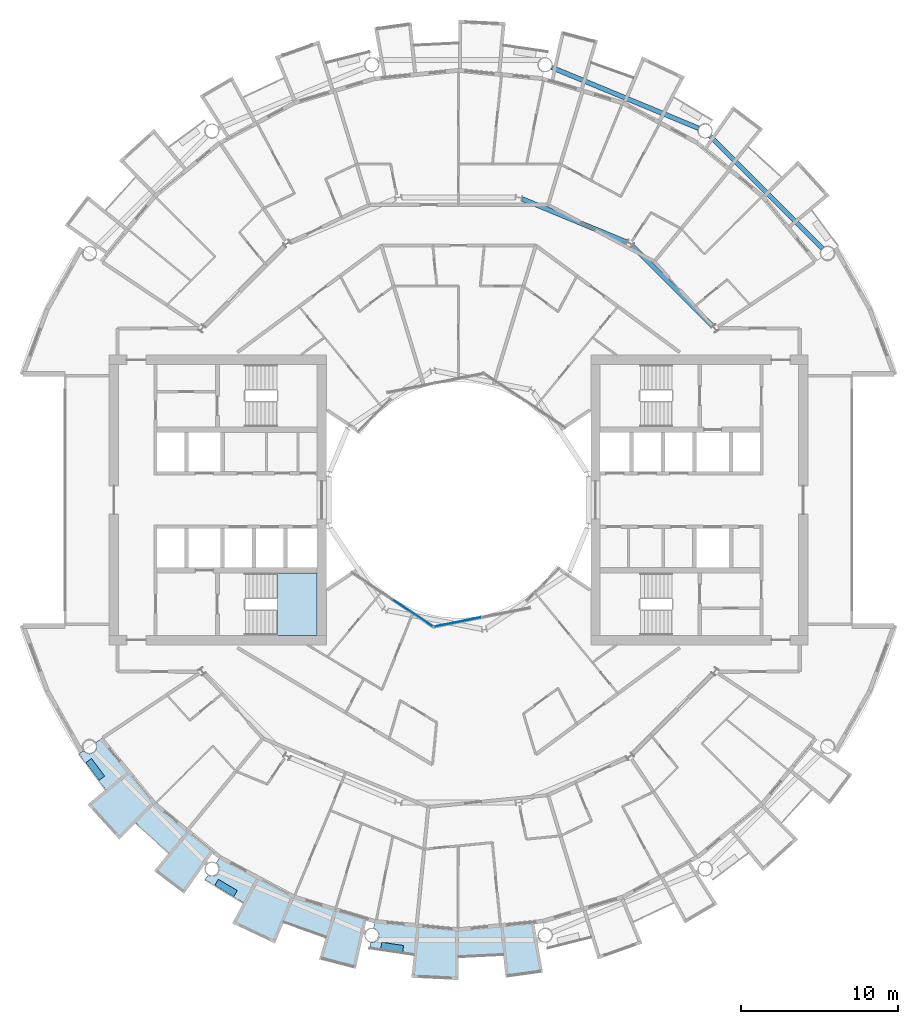
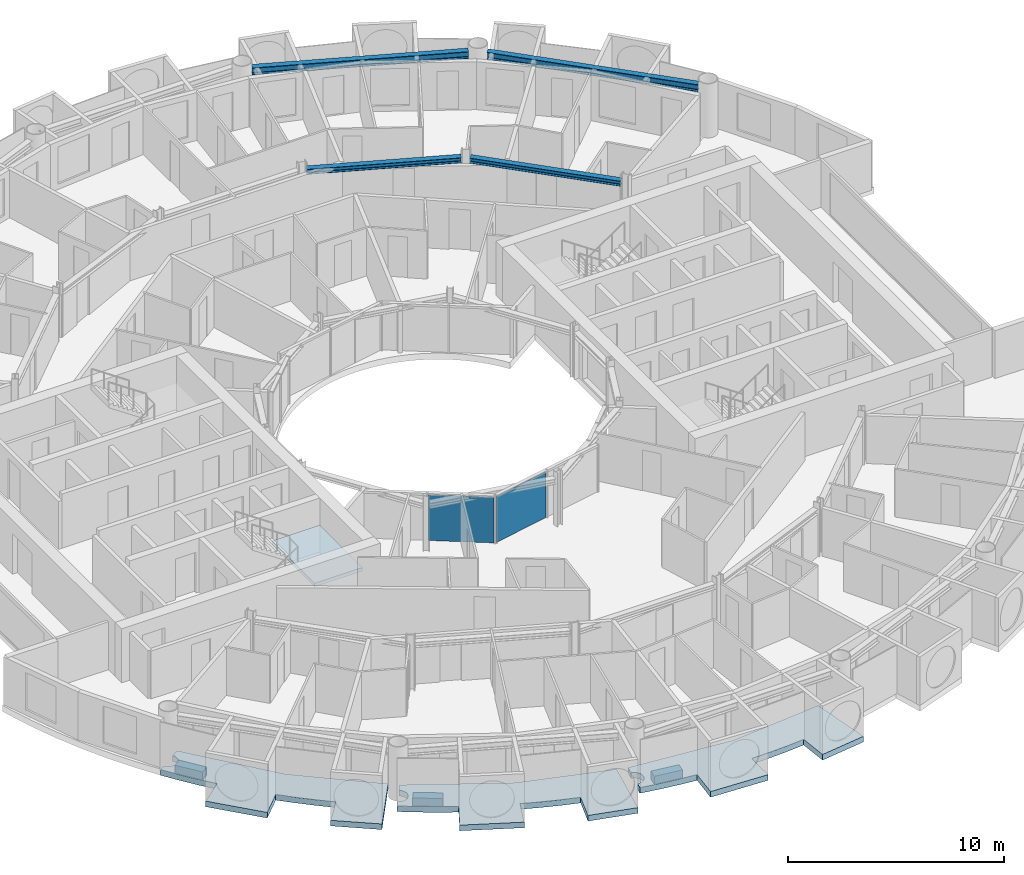
# One storey, part 10 of 27: 7 slabs, 4 beams, 2 plates, 3 elements without a shape of their own.
"""IFC4 building model written with IfcOpenShell, lengths in metres."""

from ifc_helpers import new_model, si_unit, direction, frame, origin, origin_2d, place, context, subcontext, project, spatial, polyline, rectangle, i_section, outline, extrude, material, layer, layer_set, material_profile, profile_set, type_object, element, aggregate, save


model = new_model("IFC4")

# Units and contexts
model_context = context("Model", 3, precision=1e-05, world=origin(), true_north=direction((0.0, 1.0)))
body_context = subcontext(model_context, "Body", "Model", "MODEL_VIEW")
ifc_project = project(units=[si_unit("LENGTHUNIT", "METRE"), si_unit("AREAUNIT", "SQUARE_METRE"), si_unit("VOLUMEUNIT", "CUBIC_METRE"), si_unit("PLANEANGLEUNIT", "RADIAN"), si_unit("MASSUNIT", "GRAM", prefix="KILO")], contexts=[model_context])

# Site, building, storey
site_placement = place(None, origin())
site = spatial("IfcSite", under=ifc_project, at=site_placement, CompositionType="ELEMENT")
building_placement = place(site_placement, origin())
building = spatial("IfcBuilding", under=site, at=building_placement, Name="Maasbend Ring Residences", CompositionType="ELEMENT")
storey_placement = place(building_placement, frame((0.0, 0.0, 120.800048828125)))
storey = spatial("IfcBuildingStorey", under=building, at=storey_placement, Name="L34", CompositionType="ELEMENT", Elevation=120.800048828125)

# Beams
ifc_material_1 = material(Name="Steel S355J2", Category="steel")
ifc_material_profile_1 = material_profile(ifc_material_1, i_section(OverallWidth=0.300048828125, OverallDepth=0.2900390625, WebThickness=0.008544921875, FlangeThickness=0.013916015625, FilletRadius=0.027099609375, at=origin_2d()), Name="HEA 300")
ifc_profile_set_1 = profile_set([ifc_material_profile_1], Name="Steel S355J2")
beam_type_1 = type_object("IfcBeamType", Name="Corridor ring beam HEA 300", PredefinedType="BEAM", material=ifc_profile_set_1)
for number, where, z_axis, x_axis, name in (
    (1, (16.14111328125, 11.044921875, 2.554931640625), (-0.707106781187, 0.707106781187, 0.0), (-0.707106781187, -0.707106781187, 0.0), "Corridor ring beam"),
    (2, (10.685791015625, 16.381103515625, 2.554931640625), (-0.923877693919, 0.382687871089, 0.0), (-0.382687871089, -0.923877693919, 0.0), "Corridor ring beam"),
):
    element("IfcBeam", number, at=place(storey_placement, frame(where, z_axis=z_axis, x_axis=x_axis)), inside=storey, type_object=beam_type_1, Name=name, PredefinedType="BEAM", context=body_context, shape_type="SweptSolid", body=[
        extrude(i_section(OverallWidth=0.300048828125, OverallDepth=0.2900390625, WebThickness=0.008544921875, FlangeThickness=0.013916015625, FilletRadius=0.027099609375, at=origin_2d()), origin(), (0.0, 0.0, 1.0), 7.20703125),
    ])
ifc_material_2 = material(Name="Steel S355J2", Category="steel")
ifc_material_profile_2 = material_profile(ifc_material_2, i_section(OverallWidth=0.300048828125, OverallDepth=0.39990234375, WebThickness=0.013427734375, FlangeThickness=0.02392578125, FilletRadius=0.027099609375, at=origin_2d()), Name="HEB 400")
ifc_profile_set_2 = profile_set([ifc_material_profile_2], Name="Steel S355J2")
beam_type_2 = type_object("IfcBeamType", Name="Spandrel ring beam HEB 400", PredefinedType="SPANDREL", material=ifc_profile_set_2)
for number, where, z_axis, x_axis, name in (
    (3, (23.124267578125, 15.990234375, 2.5), (-0.707106781187, 0.707106781187, 0.0), (-0.707106781187, -0.707106781187, 0.0), "Spandrel ring beam"),
    (4, (15.244873046875, 23.622314453125, 2.5), (-0.92388529709, 0.382669515144, 0.0), (-0.382669515144, -0.92388529709, 0.0), "Spandrel ring beam"),
):
    element("IfcBeam", number, at=place(storey_placement, frame(where, z_axis=z_axis, x_axis=x_axis)), inside=storey, type_object=beam_type_2, Name=name, PredefinedType="SPANDREL", context=body_context, shape_type="SweptSolid", body=[
        extrude(i_section(OverallWidth=0.300048828125, OverallDepth=0.39990234375, WebThickness=0.013427734375, FlangeThickness=0.02392578125, FilletRadius=0.027099609375, at=origin_2d()), origin(), (0.0, 0.0, 1.0), 10.089111328125),
    ])

# Stair, slab
ifc_material_3 = material(Name="Concrete C40/50", Category="concrete")
stair_type = type_object("IfcStairType", Name="CORE STAIR 18 RISERS", PredefinedType="HALF_TURN_STAIR", material=ifc_material_3)
stair_placement = place(storey_placement, origin())
stair = element("IfcStair", 5, at=stair_placement, inside=storey, type_object=stair_type, Name="L34 Exit stair ST-W1", PredefinedType="HALF_TURN_STAIR")
ifc_material_4 = material(Name="Concrete C40/50", Category="concrete")
ifc_layer_1 = layer(ifc_material_4, 0.199951171875)
ifc_layer_set_1 = layer_set([ifc_layer_1], Name="Concrete C40/50")
slab_type_1 = type_object("IfcSlabType", Name="CORE STAIR LANDING 200", PredefinedType="LANDING", material=ifc_layer_set_1)
slab_1_placement = place(storey_placement, frame((0.0, 0.0, 1.324951171875)))
slab_1 = element("IfcSlab", 6, at=slab_1_placement, type_object=slab_type_1, Name="ST-W1 landing 1", PredefinedType="LANDING", context=body_context, shape_type="SweptSolid", body=[
    extrude(outline(polyline([(-11.550048828125, -8.60009765625), (-9.0, -8.60009765625), (-9.0, -4.64990234375), (-11.550048828125, -4.64990234375), (-11.550048828125, -8.60009765625)])), origin(), (0.0, 0.0, 1.0), 0.199951171875),
])
aggregate(stair, [slab_1])

# Curtain wall, plate
ifc_material_5 = material(Name="Aluminium and clear glass", Category="aluminium")
ifc_layer_2 = layer(ifc_material_5, 0.179931640625)
ifc_layer_set_2 = layer_set([ifc_layer_2], Name="CW-W")
curtain_wall_type = type_object("IfcCurtainWallType", Name="CW-W", PredefinedType="NOTDEFINED", material=ifc_layer_set_2)
curtain_wall_1_placement = place(storey_placement, origin())
curtain_wall_1 = element("IfcCurtainWall", 7, at=curtain_wall_1_placement, inside=storey, type_object=curtain_wall_type, Name="Well curtain wall S1", PredefinedType="NOTDEFINED")
ifc_material_6 = material(Name="Glass clear laminated", Category="glass")
ifc_layer_3 = layer(ifc_material_6, 0.031982421875)
ifc_layer_set_3 = layer_set([ifc_layer_3], Name="CWP-W")
plate_type = type_object("IfcPlateType", Name="CWP-W", PredefinedType="CURTAIN_PANEL", material=ifc_layer_set_3)
plate_1_placement = place(storey_placement, frame((-2.922119140625, -7.17578125, 0.0), z_axis=(0.0, 0.0, 1.0), x_axis=(0.831469612303, -0.55557023302, 0.0)))
plate_1 = element("IfcPlate", 8, at=plate_1_placement, type_object=plate_type, Name="Glass panel well face", PredefinedType="CURTAIN_PANEL", context=body_context, shape_type="SweptSolid", body=[
    extrude(rectangle(XDim=3.053955078125, YDim=0.031982421875, at=origin_2d()), origin(), (0.0, 0.0, 1.0), 2.580078125),
])
aggregate(curtain_wall_1, [plate_1])

curtain_wall_2_placement = place(storey_placement, origin())
curtain_wall_2 = element("IfcCurtainWall", 9, at=curtain_wall_2_placement, inside=storey, type_object=curtain_wall_type, Name="Well curtain wall S2", PredefinedType="NOTDEFINED")
plate_2_placement = place(storey_placement, frame((-0.04638671875, -7.747802734375, 0.0), z_axis=(0.0, 0.0, 1.0), x_axis=(0.980785280403, 0.195090322016, 0.0)))
plate_2 = element("IfcPlate", 10, at=plate_2_placement, type_object=plate_type, Name="Glass panel well face", PredefinedType="CURTAIN_PANEL", context=body_context, shape_type="SweptSolid", body=[
    extrude(rectangle(XDim=3.053955078125, YDim=0.031982421875, at=origin_2d()), origin(), (0.0, 0.0, 1.0), 2.580078125),
])
aggregate(curtain_wall_2, [plate_2])

# Slabs
ifc_material_7 = material(Name="Planting with climbing greenery")
ifc_layer_4 = layer(ifc_material_7, 0.449951171875)
ifc_layer_set_4 = layer_set([ifc_layer_4], Name="PLANTER-LG")
slab_type_2 = type_object("IfcSlabType", Name="PLANTER-LG", PredefinedType="USERDEFINED", material=ifc_layer_set_4)
slab_2_placement = place(storey_placement, frame((0.0, 0.0, -0.030029296875)))
element("IfcSlab", 11, at=slab_2_placement, inside=storey, type_object=slab_type_2, Name="Planter with climbing greenery 1", ObjectType="PLANTER", PredefinedType="USERDEFINED", context=body_context, shape_type="SweptSolid", body=[
    extrude(outline(polyline([(-23.681884765625, -16.69189453125), (-22.847900390625, -17.81689453125), (-22.487060546875, -17.549072265625), (-23.321044921875, -16.424072265625), (-23.681884765625, -16.69189453125)])), origin(), (0.0, 0.0, 1.0), 0.449951171875),
])
slab_3_placement = place(storey_placement, frame((0.0, 0.0, -0.030029296875)))
element("IfcSlab", 12, at=slab_3_placement, inside=storey, type_object=slab_type_2, Name="Planter with climbing greenery 2", ObjectType="PLANTER", PredefinedType="USERDEFINED", context=body_context, shape_type="SweptSolid", body=[
    extrude(outline(polyline([(-15.490966796875, -24.48388671875), (-14.291015625, -25.2041015625), (-14.05908203125, -24.818115234375), (-15.260009765625, -24.097900390625), (-15.490966796875, -24.48388671875)])), origin(), (0.0, 0.0, 1.0), 0.449951171875),
])
slab_4_placement = place(storey_placement, frame((0.0, 0.0, -0.030029296875)))
element("IfcSlab", 13, at=slab_4_placement, inside=storey, type_object=slab_type_2, Name="Planter with climbing greenery 3", ObjectType="PLANTER", PredefinedType="USERDEFINED", context=body_context, shape_type="SweptSolid", body=[
    extrude(outline(polyline([(-4.94189453125, -28.549072265625), (-3.55810546875, -28.75390625), (-3.491943359375, -28.30908203125), (-4.8759765625, -28.10400390625), (-4.94189453125, -28.549072265625)])), origin(), (0.0, 0.0, 1.0), 0.449951171875),
])
ifc_material_8 = material(Name="Concrete C40/50", Category="concrete")
ifc_layer_5 = layer(ifc_material_8, 0.199951171875)
ifc_layer_set_5 = layer_set([ifc_layer_5], Name="Concrete C40/50")
slab_type_3 = type_object("IfcSlabType", Name="SL-LOGGIA", PredefinedType="FLOOR", material=ifc_layer_set_5)
slab_5_placement = place(storey_placement, frame((0.0, 0.0, -0.35009765625)))
element("IfcSlab", 14, at=slab_5_placement, inside=storey, type_object=slab_type_3, Name="Loggia floor 1", PredefinedType="FLOOR", context=body_context, shape_type="SweptSolid", body=[
    extrude(outline(polyline([(-15.89208984375, -23.844970703125), (-15.883056640625, -23.85009765625), (-15.873046875, -23.85595703125), (-15.862060546875, -23.861083984375), (-15.85205078125, -23.864990234375), (-15.842041015625, -23.8701171875), (-15.83203125, -23.8740234375), (-15.821044921875, -23.8779296875), (-15.81005859375, -23.881103515625), (-15.800048828125, -23.885009765625), (-15.7890625, -23.887939453125), (-15.778076171875, -23.89111328125), (-15.76708984375, -23.89306640625), (-15.756103515625, -23.89599609375), (-15.7451171875, -23.89794921875), (-15.73388671875, -23.89892578125), (-15.722900390625, -23.90087890625), (-15.7119140625, -23.902099609375), (-15.700927734375, -23.903076171875), (-15.68994140625, -23.904052734375), (-15.677978515625, -23.904052734375), (-15.6669921875, -23.904052734375), (-15.656005859375, -23.904052734375), (-15.64501953125, -23.904052734375), (-15.633056640625, -23.903076171875), (-15.6220703125, -23.902099609375), (-15.611083984375, -23.90087890625), (-15.60009765625, -23.89892578125), (-15.589111328125, -23.89794921875), (-15.577880859375, -23.89599609375), (-15.56689453125, -23.89306640625), (-15.555908203125, -23.89111328125), (-15.544921875, -23.887939453125), (-15.533935546875, -23.885009765625), (-15.52392578125, -23.881103515625), (-15.512939453125, -23.8779296875), (-15.5029296875, -23.8740234375), (-15.491943359375, -23.8701171875), (-15.48193359375, -23.864990234375), (-15.471923828125, -23.861083984375), (-15.4619140625, -23.85595703125), (-15.451904296875, -23.85009765625), (-15.44189453125, -23.844970703125), (-15.431884765625, -23.839111328125), (-15.423095703125, -23.8330078125), (-15.4130859375, -23.826904296875), (-15.404052734375, -23.821044921875), (-15.39501953125, -23.81396484375), (-15.385986328125, -23.80810546875), (-15.376953125, -23.801025390625), (-15.368896484375, -23.79296875), (-15.360107421875, -23.785888671875), (-15.35205078125, -23.778076171875), (-15.343994140625, -23.77099609375), (-15.3359375, -23.762939453125), (-15.327880859375, -23.75390625), (-15.321044921875, -23.74609375), (-15.31396484375, -23.737060546875), (-15.306884765625, -23.72900390625), (-15.300048828125, -23.719970703125), (-15.29296875, -23.7109375), (-15.287109375, -23.700927734375), (-15.281005859375, -23.69189453125), (-15.27490234375, -23.681884765625), (-15.26904296875, -23.673095703125), (-15.263916015625, -23.6630859375), (-15.259033203125, -23.653076171875), (-15.25390625, -23.64306640625), (-15.2490234375, -23.633056640625), (-15.2451171875, -23.6220703125), (-15.240966796875, -23.612060546875), (-15.237060546875, -23.60107421875), (-15.23291015625, -23.591064453125), (-15.22998046875, -23.580078125), (-15.22705078125, -23.569091796875), (-15.22412109375, -23.55810546875), (-15.220947265625, -23.548095703125), (-15.218994140625, -23.537109375), (-15.217041015625, -23.52587890625), (-15.215087890625, -23.513916015625), (-15.214111328125, -23.5029296875), (-15.2119140625, -23.491943359375), (-15.2109375, -23.48095703125), (-15.2109375, -23.469970703125), (-15.2099609375, -23.458984375), (-15.2099609375, -23.447021484375), (-15.2099609375, -23.43603515625), (-15.2109375, -23.425048828125), (-15.2109375, -23.4140625), (-15.2119140625, -23.403076171875), (-15.214111328125, -23.39111328125), (-15.215087890625, -23.3798828125), (-15.217041015625, -23.368896484375), (-15.218994140625, -23.35791015625), (-15.220947265625, -23.346923828125), (-15.22412109375, -23.3359375), (-15.22705078125, -23.325927734375), (-15.22998046875, -23.31494140625), (-15.23291015625, -23.303955078125), (-15.237060546875, -23.29296875), (-15.240966796875, -23.282958984375), (-15.2451171875, -23.27294921875), (-15.2490234375, -23.261962890625), (-15.25390625, -23.251953125), (-15.259033203125, -23.241943359375), (-15.263916015625, -23.23193359375), (-15.26904296875, -23.221923828125), (-15.27490234375, -23.2119140625), (-15.281005859375, -23.202880859375), (-15.287109375, -23.194091796875), (-15.29296875, -23.18408203125), (-15.300048828125, -23.175048828125), (-15.306884765625, -23.166015625), (-15.31396484375, -23.156982421875), (-15.321044921875, -23.14892578125), (-15.327880859375, -23.139892578125), (-15.3359375, -23.132080078125), (-15.343994140625, -23.1240234375), (-15.35205078125, -23.115966796875), (-15.360107421875, -23.10888671875), (-15.368896484375, -23.10107421875), (-15.376953125, -23.093994140625), (-15.385986328125, -23.0869140625), (-15.39501953125, -23.080078125), (-15.404052734375, -23.073974609375), (-15.4130859375, -23.06689453125), (-15.1669921875, -22.698974609375), (-15.1669921875, -22.698974609375), (-15.1669921875, -22.698974609375), (-12.806884765625, -23.9609375), (-10.447021484375, -25.221923828125), (-10.447021484375, -25.221923828125), (-10.447021484375, -25.221923828125), (-7.886962890625, -25.9990234375), (-5.843994140625, -26.617919921875), (-5.843994140625, -26.617919921875), (-5.843994140625, -26.617919921875), (-6.5400390625, -29.791015625), (-6.5400390625, -29.791015625), (-6.5400390625, -29.791015625), (-8.85400390625, -29.18701171875), (-8.85400390625, -29.18701171875), (-8.85400390625, -29.18701171875), (-8.41796875, -27.751953125), (-8.41796875, -27.751953125), (-8.41796875, -27.751953125), (-8.41796875, -27.751953125), (-8.41796875, -27.751953125), (-8.41796875, -27.751953125), (-8.41796875, -27.7509765625), (-8.41796875, -27.7509765625), (-8.41796875, -27.7509765625), (-8.41796875, -27.7509765625), (-8.41796875, -27.7509765625), (-8.4189453125, -27.7509765625), (-8.4189453125, -27.7509765625), (-8.4189453125, -27.7509765625), (-8.4189453125, -27.7509765625), (-8.4189453125, -27.7509765625), (-8.4189453125, -27.7509765625), (-9.322021484375, -27.4609375), (-9.322021484375, -27.4609375), (-10.215087890625, -27.14111328125), (-10.215087890625, -27.14111328125), (-11.096923828125, -26.79296875), (-11.096923828125, -26.79296875), (-11.096923828125, -26.79296875), (-11.097900390625, -26.79296875), (-11.097900390625, -26.79296875), (-11.097900390625, -26.79296875), (-11.097900390625, -26.79296875), (-11.097900390625, -26.79296875), (-11.097900390625, -26.79296875), (-11.097900390625, -26.79296875), (-11.097900390625, -26.79296875), (-11.097900390625, -26.79296875), (-11.097900390625, -26.79296875), (-11.097900390625, -26.79296875), (-11.097900390625, -26.79296875), (-11.097900390625, -26.79296875), (-11.097900390625, -26.79296875), (-11.672119140625, -28.177978515625), (-11.672119140625, -28.177978515625), (-11.672119140625, -28.177978515625), (-14.3779296875, -26.89892578125), (-14.3779296875, -26.89892578125), (-14.3779296875, -26.89892578125), (-13.6708984375, -25.575927734375), (-13.6708984375, -25.575927734375), (-13.6708984375, -25.575927734375), (-13.6708984375, -25.575927734375), (-13.6708984375, -25.575927734375), (-13.6708984375, -25.575927734375), (-13.6708984375, -25.575927734375), (-13.6708984375, -25.575927734375), (-13.6708984375, -25.575927734375), (-13.6708984375, -25.575927734375), (-13.6708984375, -25.575927734375), (-13.6708984375, -25.575927734375), (-13.6708984375, -25.575927734375), (-13.6708984375, -25.575927734375), (-13.6708984375, -25.575927734375), (-13.6708984375, -25.575927734375), (-13.6708984375, -25.574951171875), (-14.5, -25.114990234375), (-14.5, -25.114990234375), (-15.31396484375, -24.626953125), (-15.31396484375, -24.626953125), (-16.112060546875, -24.113037109375), (-16.112060546875, -24.113037109375), (-16.112060546875, -24.113037109375), (-15.9208984375, -23.826904296875), (-15.912109375, -23.8330078125), (-15.902099609375, -23.839111328125), (-15.89208984375, -23.844970703125)])), origin(), (0.0, 0.0, 1.0), 0.320068359375),
])
slab_6_placement = place(storey_placement, frame((0.0, 0.0, -0.35009765625)))
element("IfcSlab", 15, at=slab_6_placement, inside=storey, type_object=slab_type_3, Name="Loggia floor 3", PredefinedType="FLOOR", context=body_context, shape_type="SweptSolid", body=[
    extrude(outline(polyline([(-2.6630859375, -27.0380859375), (0.0, -27.300048828125), (0.0, -27.300048828125), (0.0, -27.300048828125), (2.6630859375, -27.0380859375), (4.7880859375, -26.827880859375), (4.7880859375, -26.827880859375), (4.7880859375, -26.827880859375), (5.35791015625, -30.02587890625), (5.35791015625, -30.02587890625), (5.35791015625, -30.02587890625), (2.989990234375, -30.35302734375), (2.989990234375, -30.35302734375), (2.989990234375, -30.35302734375), (2.843017578125, -28.861083984375), (2.843017578125, -28.861083984375), (2.843017578125, -28.861083984375), (2.843017578125, -28.861083984375), (2.842041015625, -28.861083984375), (2.842041015625, -28.861083984375), (2.842041015625, -28.861083984375), (2.842041015625, -28.861083984375), (2.842041015625, -28.861083984375), (2.842041015625, -28.860107421875), (2.842041015625, -28.860107421875), (2.842041015625, -28.860107421875), (2.842041015625, -28.860107421875), (2.842041015625, -28.860107421875), (2.842041015625, -28.860107421875), (2.842041015625, -28.860107421875), (2.842041015625, -28.860107421875), (1.89697265625, -28.93798828125), (1.89697265625, -28.93798828125), (0.948974609375, -28.98388671875), (0.948974609375, -28.98388671875), (0.0, -29.0), (0.0, -29.0), (0.0, -29.0), (0.0, -29.0), (0.0, -29.0), (0.0, -29.0), (0.0, -29.0), (0.0, -29.0), (0.0, -29.0), (0.0, -29.0), (0.0, -29.0), (0.0, -29.0), (0.0, -29.0), (0.0, -29.0), (0.0, -29.0), (0.0, -29.0), (0.0, -29.0), (0.0, -30.5), (0.0, -30.5), (0.0, -30.5), (-2.989990234375, -30.35302734375), (-2.989990234375, -30.35302734375), (-2.989990234375, -30.35302734375), (-2.843017578125, -28.861083984375), (-2.843017578125, -28.861083984375), (-2.843017578125, -28.861083984375), (-2.843017578125, -28.861083984375), (-2.843017578125, -28.861083984375), (-2.843017578125, -28.861083984375), (-2.843017578125, -28.861083984375), (-2.843017578125, -28.861083984375), (-2.843017578125, -28.860107421875), (-2.843017578125, -28.860107421875), (-2.843017578125, -28.860107421875), (-2.843017578125, -28.860107421875), (-2.843017578125, -28.860107421875), (-2.843017578125, -28.860107421875), (-2.843017578125, -28.860107421875), (-2.843017578125, -28.860107421875), (-2.843017578125, -28.860107421875), (-3.784912109375, -28.751953125), (-3.784912109375, -28.751953125), (-4.72412109375, -28.613037109375), (-4.72412109375, -28.613037109375), (-5.657958984375, -28.443115234375), (-5.657958984375, -28.443115234375), (-5.657958984375, -28.443115234375), (-5.591064453125, -28.10595703125), (-5.591064453125, -28.10595703125), (-5.580078125, -28.10791015625), (-5.569091796875, -28.110107421875), (-5.556884765625, -28.112060546875), (-5.5458984375, -28.113037109375), (-5.534912109375, -28.114013671875), (-5.52392578125, -28.114990234375), (-5.512939453125, -28.114990234375), (-5.501953125, -28.114990234375), (-5.489990234375, -28.114990234375), (-5.47900390625, -28.114990234375), (-5.468017578125, -28.114013671875), (-5.45703125, -28.113037109375), (-5.446044921875, -28.112060546875), (-5.43408203125, -28.110107421875), (-5.423095703125, -28.10791015625), (-5.412109375, -28.10595703125), (-5.40087890625, -28.10400390625), (-5.389892578125, -28.10107421875), (-5.3798828125, -28.09912109375), (-5.368896484375, -28.094970703125), (-5.35791015625, -28.092041015625), (-5.347900390625, -28.087890625), (-5.3369140625, -28.083984375), (-5.326904296875, -28.080078125), (-5.31591796875, -28.075927734375), (-5.305908203125, -28.071044921875), (-5.2958984375, -28.06591796875), (-5.285888671875, -28.06103515625), (-5.27587890625, -28.055908203125), (-5.26708984375, -28.050048828125), (-5.257080078125, -28.0439453125), (-5.248046875, -28.0380859375), (-5.238037109375, -28.031982421875), (-5.22900390625, -28.02490234375), (-5.219970703125, -28.01806640625), (-5.2119140625, -28.010986328125), (-5.202880859375, -28.00390625), (-5.195068359375, -27.9970703125), (-5.18603515625, -27.989013671875), (-5.177978515625, -27.98095703125), (-5.1708984375, -27.972900390625), (-5.1630859375, -27.965087890625), (-5.155029296875, -27.95703125), (-5.14794921875, -27.947998046875), (-5.14111328125, -27.93896484375), (-5.134033203125, -27.929931640625), (-5.1279296875, -27.9208984375), (-5.1220703125, -27.912109375), (-5.114990234375, -27.903076171875), (-5.110107421875, -27.89306640625), (-5.10400390625, -27.883056640625), (-5.097900390625, -27.8740234375), (-5.093017578125, -27.864013671875), (-5.087890625, -27.85302734375), (-5.083984375, -27.843017578125), (-5.0791015625, -27.8330078125), (-5.074951171875, -27.822998046875), (-5.071044921875, -27.81201171875), (-5.068115234375, -27.801025390625), (-5.06396484375, -27.791015625), (-5.06103515625, -27.780029296875), (-5.05810546875, -27.76904296875), (-5.055908203125, -27.758056640625), (-5.052978515625, -27.7470703125), (-5.051025390625, -27.736083984375), (-5.049072265625, -27.72509765625), (-5.048095703125, -27.714111328125), (-5.047119140625, -27.702880859375), (-5.0458984375, -27.69189453125), (-5.044921875, -27.680908203125), (-5.044921875, -27.6689453125), (-5.044921875, -27.657958984375), (-5.044921875, -27.64697265625), (-5.044921875, -27.635986328125), (-5.0458984375, -27.6240234375), (-5.047119140625, -27.613037109375), (-5.048095703125, -27.60205078125), (-5.049072265625, -27.591064453125), (-5.051025390625, -27.580078125), (-5.052978515625, -27.569091796875), (-5.055908203125, -27.55810546875), (-5.05810546875, -27.547119140625), (-5.06103515625, -27.535888671875), (-5.06396484375, -27.52490234375), (-5.068115234375, -27.514892578125), (-5.071044921875, -27.50390625), (-5.074951171875, -27.493896484375), (-5.0791015625, -27.48291015625), (-5.083984375, -27.472900390625), (-5.087890625, -27.462890625), (-5.093017578125, -27.452880859375), (-5.097900390625, -27.443115234375), (-5.10400390625, -27.43310546875), (-5.110107421875, -27.423095703125), (-5.114990234375, -27.4140625), (-5.1220703125, -27.404052734375), (-5.1279296875, -27.39501953125), (-5.134033203125, -27.385986328125), (-5.14111328125, -27.376953125), (-5.14794921875, -27.367919921875), (-5.155029296875, -27.360107421875), (-5.1630859375, -27.35107421875), (-5.1708984375, -27.343017578125), (-5.177978515625, -27.3349609375), (-5.18603515625, -27.326904296875), (-5.195068359375, -27.319091796875), (-5.202880859375, -27.31201171875), (-5.2119140625, -27.304931640625), (-5.219970703125, -27.298095703125), (-5.22900390625, -27.291015625), (-5.238037109375, -27.283935546875), (-5.248046875, -27.278076171875), (-5.257080078125, -27.27197265625), (-5.26708984375, -27.26611328125), (-5.27587890625, -27.260009765625), (-5.285888671875, -27.2548828125), (-5.2958984375, -27.25), (-5.305908203125, -27.2451171875), (-5.31591796875, -27.239990234375), (-5.326904296875, -27.236083984375), (-5.3369140625, -27.23193359375), (-5.347900390625, -27.22802734375), (-5.35791015625, -27.22412109375), (-5.368896484375, -27.220947265625), (-5.3798828125, -27.218017578125), (-5.389892578125, -27.215087890625), (-5.40087890625, -27.2119140625), (-5.412109375, -27.2099609375), (-5.412109375, -27.2099609375), (-5.325927734375, -26.77490234375), (-5.325927734375, -26.77490234375), (-5.325927734375, -26.77490234375), (-2.6630859375, -27.0380859375)])), origin(), (0.0, 0.0, 1.0), 0.320068359375),
])
slab_7_placement = place(storey_placement, frame((0.0, 0.0, -0.35009765625)))
element("IfcSlab", 16, at=slab_7_placement, inside=storey, type_object=slab_type_3, Name="Loggia floor 4", PredefinedType="FLOOR", context=body_context, shape_type="SweptSolid", body=[
    extrude(outline(polyline([(-23.81396484375, -15.93896484375), (-23.80810546875, -15.947998046875), (-23.801025390625, -15.95703125), (-23.79296875, -15.966064453125), (-23.785888671875, -15.97412109375), (-23.778076171875, -15.98193359375), (-23.77099609375, -15.989990234375), (-23.762939453125, -15.998046875), (-23.75390625, -16.006103515625), (-23.74609375, -16.012939453125), (-23.737060546875, -16.02001953125), (-23.72900390625, -16.027099609375), (-23.719970703125, -16.033935546875), (-23.7109375, -16.041015625), (-23.700927734375, -16.047119140625), (-23.69189453125, -16.052978515625), (-23.681884765625, -16.05908203125), (-23.673095703125, -16.06494140625), (-23.6630859375, -16.070068359375), (-23.653076171875, -16.074951171875), (-23.64306640625, -16.080078125), (-23.633056640625, -16.0849609375), (-23.6220703125, -16.089111328125), (-23.612060546875, -16.093017578125), (-23.60107421875, -16.096923828125), (-23.591064453125, -16.10107421875), (-23.580078125, -16.10400390625), (-23.569091796875, -16.10791015625), (-23.55810546875, -16.110107421875), (-23.548095703125, -16.113037109375), (-23.537109375, -16.114990234375), (-23.52587890625, -16.116943359375), (-23.513916015625, -16.118896484375), (-23.5029296875, -16.12109375), (-23.491943359375, -16.1220703125), (-23.48095703125, -16.123046875), (-23.469970703125, -16.1240234375), (-23.458984375, -16.1240234375), (-23.447021484375, -16.1240234375), (-23.43603515625, -16.1240234375), (-23.425048828125, -16.1240234375), (-23.4140625, -16.123046875), (-23.403076171875, -16.1220703125), (-23.39111328125, -16.12109375), (-23.3798828125, -16.118896484375), (-23.368896484375, -16.116943359375), (-23.35791015625, -16.114990234375), (-23.346923828125, -16.113037109375), (-23.3359375, -16.110107421875), (-23.325927734375, -16.10791015625), (-23.31494140625, -16.10400390625), (-23.303955078125, -16.10107421875), (-23.29296875, -16.096923828125), (-23.282958984375, -16.093017578125), (-23.27294921875, -16.089111328125), (-23.261962890625, -16.0849609375), (-23.251953125, -16.080078125), (-23.241943359375, -16.074951171875), (-23.23193359375, -16.070068359375), (-23.221923828125, -16.06494140625), (-23.2119140625, -16.05908203125), (-23.202880859375, -16.052978515625), (-23.194091796875, -16.047119140625), (-23.18408203125, -16.041015625), (-23.175048828125, -16.033935546875), (-23.166015625, -16.027099609375), (-23.156982421875, -16.02001953125), (-23.14892578125, -16.012939453125), (-23.139892578125, -16.006103515625), (-23.132080078125, -15.998046875), (-23.1240234375, -15.989990234375), (-23.115966796875, -15.98193359375), (-23.10888671875, -15.97412109375), (-23.10107421875, -15.966064453125), (-23.093994140625, -15.95703125), (-23.0869140625, -15.947998046875), (-23.080078125, -15.93896484375), (-23.073974609375, -15.929931640625), (-23.06689453125, -15.9208984375), (-23.06103515625, -15.912109375), (-23.054931640625, -15.902099609375), (-23.050048828125, -15.89208984375), (-23.0439453125, -15.883056640625), (-23.0390625, -15.873046875), (-23.033935546875, -15.862060546875), (-23.030029296875, -15.85205078125), (-23.02490234375, -15.842041015625), (-23.02099609375, -15.83203125), (-23.01708984375, -15.821044921875), (-23.012939453125, -15.81005859375), (-23.010009765625, -15.800048828125), (-23.007080078125, -15.7890625), (-23.00390625, -15.778076171875), (-23.001953125, -15.76708984375), (-22.9990234375, -15.756103515625), (-22.9970703125, -15.7451171875), (-22.9951171875, -15.73388671875), (-22.993896484375, -15.722900390625), (-22.992919921875, -15.7119140625), (-22.991943359375, -15.700927734375), (-22.990966796875, -15.68994140625), (-22.990966796875, -15.677978515625), (-22.989990234375, -15.6669921875), (-22.990966796875, -15.656005859375), (-22.990966796875, -15.64501953125), (-22.991943359375, -15.633056640625), (-22.992919921875, -15.6220703125), (-22.993896484375, -15.611083984375), (-22.9951171875, -15.60009765625), (-22.9970703125, -15.589111328125), (-22.9990234375, -15.577880859375), (-23.001953125, -15.56689453125), (-23.00390625, -15.555908203125), (-23.007080078125, -15.544921875), (-23.010009765625, -15.533935546875), (-23.012939453125, -15.52392578125), (-23.01708984375, -15.512939453125), (-23.02099609375, -15.5029296875), (-23.02490234375, -15.491943359375), (-23.030029296875, -15.48193359375), (-23.033935546875, -15.471923828125), (-23.0390625, -15.4619140625), (-23.0439453125, -15.451904296875), (-23.050048828125, -15.44189453125), (-23.054931640625, -15.431884765625), (-23.06103515625, -15.423095703125), (-23.06689453125, -15.4130859375), (-23.06689453125, -15.4130859375), (-22.698974609375, -15.1669921875), (-22.698974609375, -15.1669921875), (-22.698974609375, -15.1669921875), (-21.001953125, -17.236083984375), (-19.303955078125, -19.303955078125), (-19.303955078125, -19.303955078125), (-19.303955078125, -19.303955078125), (-17.236083984375, -21.001953125), (-15.5849609375, -22.35595703125), (-15.5849609375, -22.35595703125), (-15.5849609375, -22.35595703125), (-17.44189453125, -25.02001953125), (-17.44189453125, -25.02001953125), (-17.44189453125, -25.02001953125), (-19.34912109375, -23.576904296875), (-19.34912109375, -23.576904296875), (-19.34912109375, -23.576904296875), (-18.39794921875, -22.41796875), (-18.39794921875, -22.41796875), (-18.39794921875, -22.41796875), (-18.39794921875, -22.41796875), (-18.39794921875, -22.41796875), (-18.39794921875, -22.4169921875), (-18.39794921875, -22.4169921875), (-18.39794921875, -22.4169921875), (-18.39794921875, -22.4169921875), (-18.39794921875, -22.4169921875), (-18.39794921875, -22.4169921875), (-18.39794921875, -22.4169921875), (-18.39794921875, -22.4169921875), (-18.39794921875, -22.4169921875), (-18.39794921875, -22.4169921875), (-18.39794921875, -22.4169921875), (-18.39794921875, -22.4169921875), (-19.12109375, -21.802978515625), (-19.12109375, -21.802978515625), (-19.823974609375, -21.166015625), (-19.823974609375, -21.166015625), (-20.506103515625, -20.506103515625), (-20.506103515625, -20.506103515625), (-20.506103515625, -20.506103515625), (-20.506103515625, -20.506103515625), (-20.506103515625, -20.506103515625), (-20.506103515625, -20.506103515625), (-20.506103515625, -20.506103515625), (-20.506103515625, -20.506103515625), (-20.506103515625, -20.506103515625), (-20.506103515625, -20.506103515625), (-20.506103515625, -20.506103515625), (-20.506103515625, -20.506103515625), (-20.506103515625, -20.506103515625), (-20.506103515625, -20.506103515625), (-20.506103515625, -20.506103515625), (-20.506103515625, -20.506103515625), (-20.506103515625, -20.506103515625), (-21.56689453125, -21.56689453125), (-21.56689453125, -21.56689453125), (-21.56689453125, -21.56689453125), (-23.576904296875, -19.34912109375), (-23.576904296875, -19.34912109375), (-23.576904296875, -19.34912109375), (-22.41796875, -18.39794921875), (-22.41796875, -18.39794921875), (-22.41796875, -18.39794921875), (-22.41796875, -18.39794921875), (-22.41796875, -18.39794921875), (-22.41796875, -18.39794921875), (-22.41796875, -18.39697265625), (-22.41796875, -18.39697265625), (-22.41796875, -18.39697265625), (-22.41796875, -18.39697265625), (-22.41796875, -18.39697265625), (-22.41796875, -18.39697265625), (-22.41796875, -18.39697265625), (-22.41796875, -18.39697265625), (-22.41796875, -18.39697265625), (-22.41796875, -18.39697265625), (-22.41796875, -18.39697265625), (-23.007080078125, -17.654052734375), (-23.007080078125, -17.654052734375), (-23.572998046875, -16.89208984375), (-23.572998046875, -16.89208984375), (-24.113037109375, -16.112060546875), (-24.113037109375, -16.112060546875), (-24.113037109375, -16.112060546875), (-23.826904296875, -15.9208984375), (-23.826904296875, -15.9208984375), (-23.821044921875, -15.929931640625), (-23.81396484375, -15.93896484375)])), origin(), (0.0, 0.0, 1.0), 0.320068359375),
])

save(model, "model.ifc")
